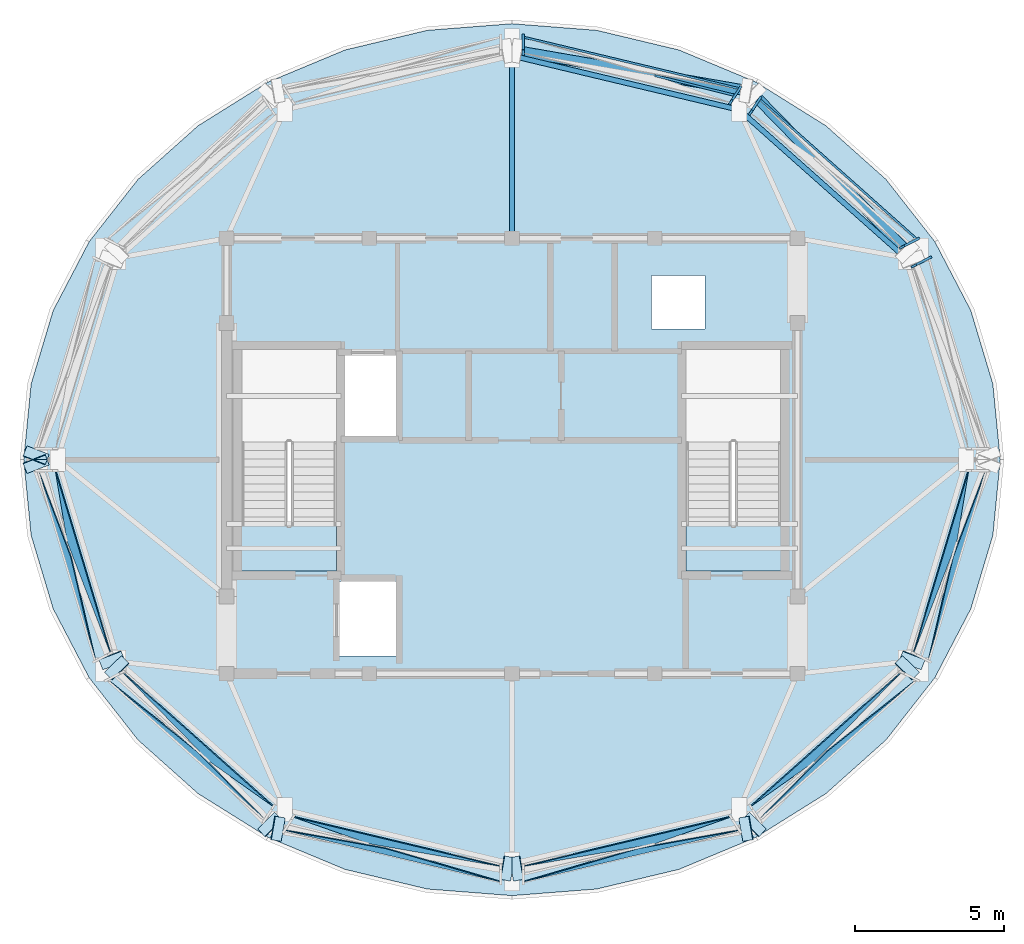
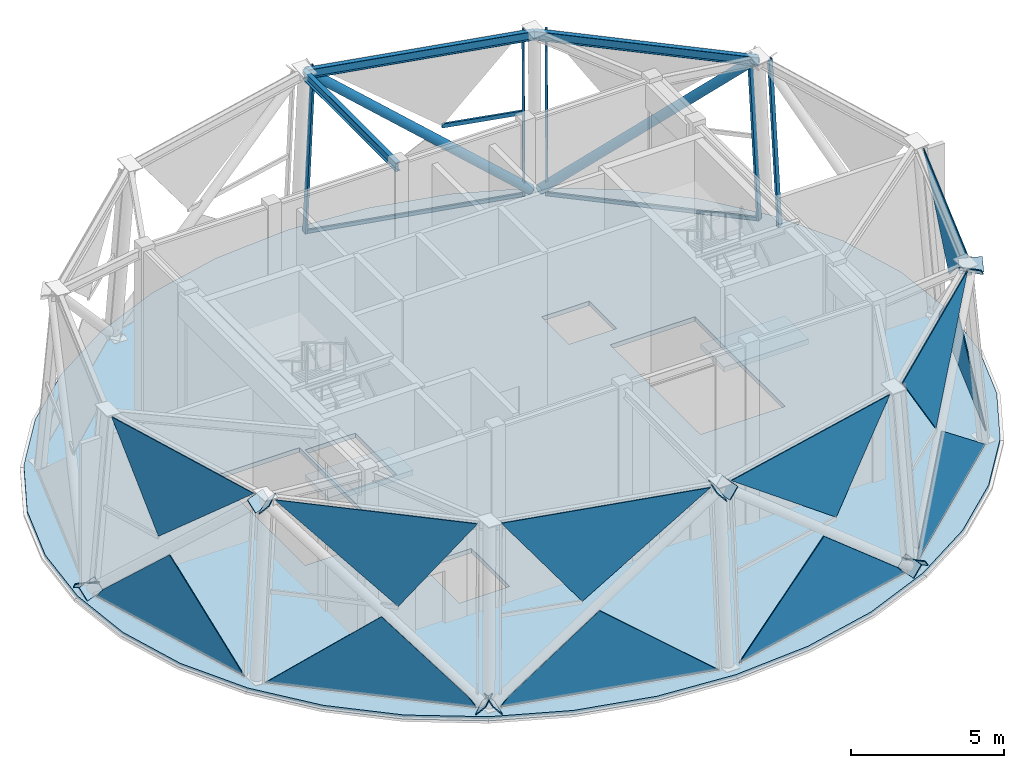
# One storey, part 3 of 9: 24 plates, 10 members, 3 beams, 3 slabs, 11 elements without a shape of their own.
"""IFC4 building model written with IfcOpenShell, lengths in metres."""

from ifc_helpers import new_model, si_unit, direction, frame, origin, origin_2d, place, context, subcontext, project, spatial, polyline, hollow_rectangle, hollow_circle, i_section, outline, extrude, material, layer, layer_set, material_profile, profile_set, type_object, element, aggregate, save


model = new_model("IFC4")

# Units and contexts
model_context = context("Model", 3, precision=1e-05, world=origin(), true_north=direction((0.0, 1.0)))
body_context = subcontext(model_context, "Body", "Model", "MODEL_VIEW")
ifc_project = project(units=[si_unit("LENGTHUNIT", "METRE"), si_unit("AREAUNIT", "SQUARE_METRE"), si_unit("VOLUMEUNIT", "CUBIC_METRE"), si_unit("PLANEANGLEUNIT", "RADIAN"), si_unit("MASSUNIT", "GRAM", prefix="KILO")], contexts=[model_context])

# Site, building, storey
site_placement = place(None, origin())
site = spatial("IfcSite", under=ifc_project, at=site_placement, CompositionType="ELEMENT")
building_placement = place(site_placement, origin())
building = spatial("IfcBuilding", under=site, at=building_placement, Name="Vantalir Tower", CompositionType="ELEMENT")
storey_placement = place(building_placement, frame((0.0, 0.0, 319.0)))
storey = spatial("IfcBuildingStorey", under=building, at=storey_placement, Name="L78", CompositionType="ELEMENT", Elevation=319.0)

# Beams
ifc_material_1 = material(Name="Steel S460", Category="steel")
ifc_material_profile_1 = material_profile(ifc_material_1, i_section(OverallWidth=0.172119140625, OverallDepth=0.35791015625, WebThickness=0.008056640625, FlangeThickness=0.012939453125, at=origin_2d()), Name="Steel S460")
ifc_profile_set_1 = profile_set([ifc_material_profile_1], Name="Steel S460")
beam_type = type_object("IfcBeamType", Name="BM-RB-356x171", PredefinedType="BEAM", material=ifc_profile_set_1)
beam_1_placement = place(storey_placement, frame((44.739990234375, 31.794921875, 6.89111328125), z_axis=(-0.747348152301, 0.664432644631, 0.0), x_axis=(-0.664432644631, -0.747348152301, 0.0)))
element("IfcBeam", 1, at=beam_1_placement, inside=storey, type_object=beam_type, Name="L78 Circumferential Ring Girder 02", PredefinedType="BEAM", context=body_context, shape_type="SweptSolid", body=[
    extrude(i_section(OverallWidth=0.172119140625, OverallDepth=0.35791015625, WebThickness=0.008056640625, FlangeThickness=0.012939453125, at=origin_2d()), origin(), (0.0, 0.0, 1.0), 7.48779296875),
])
beam_2_placement = place(storey_placement, frame((39.14404296875, 36.77001953125, 6.89111328125), z_axis=(-0.972776537622, 0.231745135552, 0.0), x_axis=(-0.231745135552, -0.972776537622, 0.0)))
element("IfcBeam", 2, at=beam_2_placement, inside=storey, type_object=beam_type, Name="L78 Circumferential Ring Girder 03", PredefinedType="BEAM", context=body_context, shape_type="SweptSolid", body=[
    extrude(i_section(OverallWidth=0.172119140625, OverallDepth=0.35791015625, WebThickness=0.008056640625, FlangeThickness=0.012939453125, at=origin_2d()), origin(), (0.0, 0.0, 1.0), 7.85791015625),
])
beam_3_placement = place(storey_placement, frame((31.5, 38.591064453125, 6.89111328125), z_axis=(0.0, -1.0, 0.0), x_axis=(1.0, 0.0, 0.0)))
element("IfcBeam", 3, at=beam_3_placement, inside=storey, type_object=beam_type, Name="L78 Radial Floor Beam 04", PredefinedType="BEAM", context=body_context, shape_type="SweptSolid", body=[
    extrude(i_section(OverallWidth=0.172119140625, OverallDepth=0.35791015625, WebThickness=0.008056640625, FlangeThickness=0.012939453125, at=origin_2d()), origin(), (0.0, 0.0, 1.0), 6.14111328125),
])

# Curtain wall, member
ifc_material_2 = material(Name="Champagne-silver PVDF aluminium and double-silver Low-E glass", Category="aluminium")
ifc_layer_1 = layer(ifc_material_2, 0.25)
ifc_layer_set_1 = layer_set([ifc_layer_1], Name="Champagne-silver PVDF aluminium and double-silver Low-E glass")
curtain_wall_type = type_object("IfcCurtainWallType", Name="CW-CROWN-PT", PredefinedType="USERDEFINED", material=ifc_layer_set_1)
curtain_wall_1_placement = place(storey_placement, origin())
curtain_wall_1 = element("IfcCurtainWall", 4, at=curtain_wall_1_placement, inside=storey, type_object=curtain_wall_type, Name="L78 Quilted Pyramid-Diamond Curtain Wall S01", ObjectType="UNITISED CURTAIN WALL", PredefinedType="USERDEFINED")
ifc_material_3 = material(Name="Champagne-silver PVDF aluminium 6063-T6", Category="aluminium")
ifc_material_profile_2 = material_profile(ifc_material_3, hollow_rectangle(XDim=0.080078125, YDim=0.199951171875, WallThickness=0.0048828125, at=origin_2d()), Name="Champagne-silver PVDF aluminium 6063-T6")
ifc_profile_set_2 = profile_set([ifc_material_profile_2], Name="Champagne-silver PVDF aluminium 6063-T6")
member_type_1 = type_object("IfcMemberType", Name="CWM-200x80", PredefinedType="MULLION", material=ifc_profile_set_2)
member_1_placement = place(storey_placement, frame((45.52587890625, 31.780029296875, 0.044921875), z_axis=(-0.072787183057, -0.037543963674, 0.996640595588), x_axis=(0.458415220074, -0.888738142539, 0.0)))
member_1 = element("IfcMember", 5, at=member_1_placement, type_object=member_type_1, Name="CW-L78-S01 Mullion 2", PredefinedType="MULLION", context=body_context, shape_type="SweptSolid", body=[
    extrude(hollow_rectangle(XDim=0.080078125, YDim=0.199951171875, WallThickness=0.0048828125, at=origin_2d()), origin(), (0.0, 0.0, 1.0), 7.00341796875),
])
aggregate(curtain_wall_1, [member_1])

# Curtain wall, members
curtain_wall_2_placement = place(storey_placement, origin())
curtain_wall_2 = element("IfcCurtainWall", 6, at=curtain_wall_2_placement, inside=storey, type_object=curtain_wall_type, Name="L78 Quilted Pyramid-Diamond Curtain Wall S02", ObjectType="UNITISED CURTAIN WALL", PredefinedType="USERDEFINED")
member_2_placement = place(storey_placement, frame((45.123046875, 32.412109375, 0.044921875), z_axis=(-0.07282176265, -0.037578678859, 0.996636761202), x_axis=(0.458577903069, -0.88865421105, 0.0)))
member_2 = element("IfcMember", 7, at=member_2_placement, type_object=member_type_1, Name="CW-L78-S02 Mullion 1", PredefinedType="MULLION", context=body_context, shape_type="SweptSolid", body=[
    extrude(hollow_rectangle(XDim=0.080078125, YDim=0.199951171875, WallThickness=0.0048828125, at=origin_2d()), origin(), (0.0, 0.0, 1.0), 7.00341796875),
])
member_3_placement = place(storey_placement, frame((39.823974609375, 37.1298828125, 0.044921875), z_axis=(-0.041986824775, -0.0648284944, 0.997012724522), x_axis=(0.839339926536, -0.54360692391, 0.0)))
member_3 = element("IfcMember", 8, at=member_3_placement, type_object=member_type_1, Name="CW-L78-S02 Mullion 2", PredefinedType="MULLION", context=body_context, shape_type="SweptSolid", body=[
    extrude(hollow_rectangle(XDim=0.080078125, YDim=0.199951171875, WallThickness=0.0048828125, at=origin_2d()), origin(), (0.0, 0.0, 1.0), 7.0009765625),
])

curtain_wall_3_placement = place(storey_placement, origin())
curtain_wall_3 = element("IfcCurtainWall", 9, at=curtain_wall_3_placement, inside=storey, type_object=curtain_wall_type, Name="L78 Quilted Pyramid-Diamond Curtain Wall S03", ObjectType="UNITISED CURTAIN WALL", PredefinedType="USERDEFINED")
member_4_placement = place(storey_placement, frame((39.154052734375, 37.47998046875, 0.044921875), z_axis=(-0.041986349537, -0.065002122538, 0.997001439577), x_axis=(0.840005146283, -0.542578431398, 0.0)))
member_4 = element("IfcMember", 10, at=member_4_placement, type_object=member_type_1, Name="CW-L78-S03 Mullion 1", PredefinedType="MULLION", context=body_context, shape_type="SweptSolid", body=[
    extrude(hollow_rectangle(XDim=0.080078125, YDim=0.199951171875, WallThickness=0.0048828125, at=origin_2d()), origin(), (0.0, 0.0, 1.0), 7.0009765625),
])
member_5_placement = place(storey_placement, frame((31.87890625, 39.215087890625, 0.044921875), z_axis=(0.0, -0.07488532878, 0.997192151761), x_axis=(1.0, 0.0, 0.0)))
member_5 = element("IfcMember", 11, at=member_5_placement, type_object=member_type_1, Name="CW-L78-S03 Mullion 2", PredefinedType="MULLION", context=body_context, shape_type="SweptSolid", body=[
    extrude(hollow_rectangle(XDim=0.080078125, YDim=0.199951171875, WallThickness=0.0048828125, at=origin_2d()), origin(), (0.0, 0.0, 1.0), 6.999755859375),
])

# Member
ifc_material_profile_3 = material_profile(ifc_material_3, hollow_rectangle(XDim=0.070068359375, YDim=0.139892578125, WallThickness=0.00390625, at=origin_2d()), Name="Champagne-silver PVDF aluminium 6063-T6")
ifc_profile_set_3 = profile_set([ifc_material_profile_3], Name="Champagne-silver PVDF aluminium 6063-T6")
member_type_2 = type_object("IfcMemberType", Name="CWT-140x70", PredefinedType="USERDEFINED", material=ifc_profile_set_3)
member_6_placement = place(storey_placement, frame((45.123046875, 32.412109375, 0.054931640625), z_axis=(-0.746885093717, 0.664953123749, 0.0), x_axis=(-0.664953123749, -0.746885093717, 0.0)))
member_6 = element("IfcMember", 12, at=member_6_placement, type_object=member_type_2, Name="CW-L78-S02 Sill Transom", ObjectType="TRANSOM", PredefinedType="USERDEFINED", context=body_context, shape_type="SweptSolid", body=[
    extrude(hollow_rectangle(XDim=0.070068359375, YDim=0.139892578125, WallThickness=0.00390625, at=origin_2d()), origin(), (0.0, 0.0, 1.0), 7.094970703125),
])

aggregate(curtain_wall_2, [member_2, member_3, member_6])

member_7_placement = place(storey_placement, frame((39.154052734375, 37.47998046875, 0.054931640625), z_axis=(-0.972717882854, 0.231991207539, 0.0), x_axis=(-0.231991207539, -0.972717882854, 0.0)))
member_7 = element("IfcMember", 13, at=member_7_placement, type_object=member_type_2, Name="CW-L78-S03 Sill Transom", ObjectType="TRANSOM", PredefinedType="USERDEFINED", context=body_context, shape_type="SweptSolid", body=[
    extrude(hollow_rectangle(XDim=0.070068359375, YDim=0.139892578125, WallThickness=0.00390625, at=origin_2d()), origin(), (0.0, 0.0, 1.0), 7.479248046875),
])

ifc_material_profile_4 = material_profile(ifc_material_3, hollow_rectangle(XDim=0.074951171875, YDim=0.159912109375, WallThickness=0.00390625, at=origin_2d()), Name="Champagne-silver PVDF aluminium 6063-T6")
ifc_profile_set_4 = profile_set([ifc_material_profile_4], Name="Champagne-silver PVDF aluminium 6063-T6")
member_type_3 = type_object("IfcMemberType", Name="CWT-160x75", PredefinedType="USERDEFINED", material=ifc_profile_set_4)
member_8_placement = place(storey_placement, frame((39.007080078125, 37.2529296875, 3.534912109375), z_axis=(-0.970738444916, 0.240139275343, 0.0), x_axis=(-0.240139275343, -0.970738444916, 0.0)))
member_8 = element("IfcMember", 14, at=member_8_placement, type_object=member_type_3, Name="CW-L78-S03 Pyramid Fold Ridge Transom", ObjectType="TRANSOM", PredefinedType="USERDEFINED", context=body_context, shape_type="SweptSolid", body=[
    extrude(hollow_rectangle(XDim=0.074951171875, YDim=0.159912109375, WallThickness=0.00390625, at=origin_2d()), origin(), (0.0, 0.0, 1.0), 2.781494140625),
])

aggregate(curtain_wall_3, [member_4, member_5, member_7, member_8])

# Members
ifc_material_profile_5 = material_profile(ifc_material_1, hollow_circle(Radius=0.177490234375, WallThickness=0.02001953125, at=origin_2d()), Name="Steel S460")
ifc_profile_set_5 = profile_set([ifc_material_profile_5], Name="Steel S460")
member_type_4 = type_object("IfcMemberType", Name="MEM-DB-355x20", PredefinedType="BRACE", material=ifc_profile_set_5)
member_9_placement = place(storey_placement, frame((39.367919921875, 37.41796875, 0.221923828125), z_axis=(-0.751661730699, 0.130172726587, 0.646575365952), x_axis=(-0.170639977932, -0.985333445049, 0.0)))
element("IfcMember", 15, at=member_9_placement, inside=storey, type_object=member_type_4, Name="L78 CROWN FRAME Diagrid Brace R07L", PredefinedType="BRACE", context=body_context, shape_type="SweptSolid", body=[
    extrude(hollow_circle(Radius=0.177490234375, WallThickness=0.02001953125, at=origin_2d()), origin(), (0.0, 0.0, 1.0), 10.247802734375),
])
member_10_placement = place(storey_placement, frame((39.64697265625, 37.27197265625, 0.22705078125), z_axis=(0.519683977372, -0.531993970001, 0.668514008488), x_axis=(0.715334532748, 0.698782159373, 0.0)))
element("IfcMember", 16, at=member_10_placement, inside=storey, type_object=member_type_4, Name="L78 CROWN FRAME Diagrid Brace R07R", PredefinedType="BRACE", context=body_context, shape_type="SweptSolid", body=[
    extrude(hollow_circle(Radius=0.177490234375, WallThickness=0.02001953125, at=origin_2d()), origin(), (0.0, 0.0, 1.0), 9.896484375),
])

# Curtain wall, plates
curtain_wall_4_placement = place(storey_placement, origin())
curtain_wall_4 = element("IfcCurtainWall", 17, at=curtain_wall_4_placement, inside=storey, type_object=curtain_wall_type, Name="L78 Quilted Pyramid-Diamond Curtain Wall S07", ObjectType="UNITISED CURTAIN WALL", PredefinedType="USERDEFINED")
ifc_material_4 = material(Name="Faceted crown Low-E glass IGU", Category="glass")
ifc_layer_2 = layer(ifc_material_4, 0.033935546875)
ifc_layer_set_2 = layer_set([ifc_layer_2], Name="Faceted crown Low-E glass IGU")
plate_type_1 = type_object("IfcPlateType", Name="CWP-IGU-CRN-34", PredefinedType="CURTAIN_PANEL", material=ifc_layer_set_2)
plate_1_placement = place(storey_placement, frame((15.55078125, 24.61328125, 0.05029296875), z_axis=(-0.955002316468, -0.287309346659, 0.073647232553), x_axis=(0.288083998675, -0.957605136707, -0.000108899046)))
plate_1 = element("IfcPlate", 18, at=plate_1_placement, type_object=plate_type_1, Name="CW-L78-S07 Pyramid Diamond Facet 1L", PredefinedType="CURTAIN_PANEL", context=body_context, shape_type="SweptSolid", body=[
    extrude(outline(polyline([(0.0, 0.0), (6.6615950335227705, 1.0516761073109393e-17), (3.0845067335968377, 3.0356793541009677), (0.31515326118738946, 0.4282061117901563), (0.0, 0.0)])), origin(), (0.0, 0.0, -1.0), 0.033935546875),
])
plate_2_placement = place(storey_placement, frame((17.97900390625, 18.495849609375, 7.020263671875), z_axis=(-0.953924632096, -0.287088281334, 0.087224509174), x_axis=(-0.288196263951, 0.9575713552, -0.000114651743)))
plate_2 = element("IfcPlate", 19, at=plate_2_placement, type_object=plate_type_1, Name="CW-L78-S07 Pyramid Diamond Facet 2U", PredefinedType="CURTAIN_PANEL", context=body_context, shape_type="SweptSolid", body=[
    extrude(outline(polyline([(0.0, 0.0), (6.3882315054448755, -2.6020852139652106e-18), (3.9965300092163356, 3.483521757025343), (0.0, 0.0)])), origin(), (0.0, 0.0, -1.0), 0.033935546875),
])
aggregate(curtain_wall_4, [plate_1, plate_2])

curtain_wall_5_placement = place(storey_placement, origin())
curtain_wall_5 = element("IfcCurtainWall", 20, at=curtain_wall_5_placement, inside=storey, type_object=curtain_wall_type, Name="L78 Quilted Pyramid-Diamond Curtain Wall S08", ObjectType="UNITISED CURTAIN WALL", PredefinedType="USERDEFINED")
plate_3_placement = place(storey_placement, frame((17.88818359375, 17.578369140625, 0.04931640625), z_axis=(-0.663349322667, -0.745063703622, 0.069625811752), x_axis=(0.746880971866, -0.664957745611, 0.000102061337)))
plate_3 = element("IfcPlate", 21, at=plate_3_placement, type_object=plate_type_1, Name="CW-L78-S08 Pyramid Diamond Facet 1L", PredefinedType="CURTAIN_PANEL", context=body_context, shape_type="SweptSolid", body=[
    extrude(outline(polyline([(0.0, 0.0), (7.065660236169466, 4.119968255444917e-18), (6.757968360388056, 0.4006732623213826), (3.838522541659166, 3.0399333200871856), (0.0, 0.0)])), origin(), (0.0, 0.0, -1.0), 0.033935546875),
])
plate_4_placement = place(storey_placement, frame((23.458984375, 13.333251953125, 7.019775390625), z_axis=(-0.662686945153, -0.744266347281, 0.083148163107), x_axis=(-0.746846550287, 0.664996404985, 0.000108076776)))
plate_4 = element("IfcPlate", 22, at=plate_4_placement, type_object=plate_type_1, Name="CW-L78-S08 Pyramid Diamond Facet 2U", PredefinedType="CURTAIN_PANEL", context=body_context, shape_type="SweptSolid", body=[
    extrude(outline(polyline([(0.0, 0.0), (6.776866405727528, 9.128982292327947e-17), (2.590030666043243, 3.4825541889697544), (0.0, 0.0)])), origin(), (0.0, 0.0, -1.0), 0.033935546875),
])
aggregate(curtain_wall_5, [plate_3, plate_4])

curtain_wall_6_placement = place(storey_placement, origin())
curtain_wall_6 = element("IfcCurtainWall", 23, at=curtain_wall_6_placement, inside=storey, type_object=curtain_wall_type, Name="L78 Quilted Pyramid-Diamond Curtain Wall S09", ObjectType="UNITISED CURTAIN WALL", PredefinedType="USERDEFINED")
plate_5_placement = place(storey_placement, frame((23.8603515625, 12.517578125, 0.0498046875), z_axis=(-0.231630877501, -0.970557917712, 0.066064097325), x_axis=(0.972681336544, -0.232144368418, -9.8742098e-05)))
plate_5 = element("IfcPlate", 24, at=plate_5_placement, type_object=plate_type_1, Name="CW-L78-S09 Pyramid Diamond Facet 1L", PredefinedType="CURTAIN_PANEL", context=body_context, shape_type="SweptSolid", body=[
    extrude(outline(polyline([(0.0, 0.0), (7.4498695683774, -1.7672495411513722e-17), (3.440650678363946, 3.038961145310199), (0.29772186006821383, 0.3621454803820775), (0.0, 0.0)])), origin(), (0.0, 0.0, -1.0), 0.033935546875),
])
plate_6_placement = place(storey_placement, frame((31.106689453125, 11.3125, 7.020751953125), z_axis=(-0.231295612374, -0.969615401188, 0.079676304357), x_axis=(-0.972709739424, 0.232025326916, -0.000102469598)))
plate_6 = element("IfcPlate", 25, at=plate_6_placement, type_object=plate_type_1, Name="CW-L78-S09 Pyramid Diamond Facet 2U", PredefinedType="CURTAIN_PANEL", context=body_context, shape_type="SweptSolid", body=[
    extrude(outline(polyline([(0.0, 0.0), (7.147699295032746, 1.3010426069826053e-18), (4.467316172605861, 3.481803045041743), (0.0, 0.0)])), origin(), (0.0, 0.0, -1.0), 0.033935546875),
])
aggregate(curtain_wall_6, [plate_5, plate_6])

curtain_wall_7_placement = place(storey_placement, origin())
curtain_wall_7 = element("IfcCurtainWall", 26, at=curtain_wall_7_placement, inside=storey, type_object=curtain_wall_type, Name="L78 Quilted Pyramid-Diamond Curtain Wall S10", ObjectType="UNITISED CURTAIN WALL", PredefinedType="USERDEFINED")
plate_7_placement = place(storey_placement, frame((31.893310546875, 10.7880859375, 0.049072265625), z_axis=(0.231630877501, -0.970557917712, 0.066064097325), x_axis=(0.972681336544, 0.232144368418, 9.8742098e-05)))
plate_7 = element("IfcPlate", 27, at=plate_7_placement, type_object=plate_type_1, Name="CW-L78-S10 Pyramid Diamond Facet 1L", PredefinedType="CURTAIN_PANEL", context=body_context, shape_type="SweptSolid", body=[
    extrude(outline(polyline([(0.0, 0.0), (7.4498695683774, 1.7672495411513722e-17), (7.152147708309187, 0.3621454803820775), (4.009218890013455, 3.0389611453101995), (0.0, 0.0)])), origin(), (0.0, 0.0, -1.0), 0.033935546875),
])
plate_8_placement = place(storey_placement, frame((38.845947265625, 12.970947265625, 7.02001953125), z_axis=(0.231295612374, -0.969615401188, 0.079676304357), x_axis=(-0.972709739424, -0.232025326916, 0.000102469598)))
plate_8 = element("IfcPlate", 28, at=plate_8_placement, type_object=plate_type_1, Name="CW-L78-S10 Pyramid Diamond Facet 2U", PredefinedType="CURTAIN_PANEL", context=body_context, shape_type="SweptSolid", body=[
    extrude(outline(polyline([(0.0, 0.0), (7.147699295032746, -1.3010426069826053e-18), (2.680383122426885, 3.481803045041743), (0.0, 0.0)])), origin(), (0.0, 0.0, -1.0), 0.033935546875),
])
aggregate(curtain_wall_7, [plate_7, plate_8])

curtain_wall_8_placement = place(storey_placement, origin())
curtain_wall_8 = element("IfcCurtainWall", 29, at=curtain_wall_8_placement, inside=storey, type_object=curtain_wall_type, Name="L78 Quilted Pyramid-Diamond Curtain Wall S11", ObjectType="UNITISED CURTAIN WALL", PredefinedType="USERDEFINED")
plate_9_placement = place(storey_placement, frame((39.834716796875, 12.8798828125, 0.050048828125), z_axis=(0.663349322667, -0.745063703622, 0.069625811752), x_axis=(0.746880971866, 0.664957745611, -0.000102061337)))
plate_9 = element("IfcPlate", 30, at=plate_9_placement, type_object=plate_type_1, Name="CW-L78-S11 Pyramid Diamond Facet 1L", PredefinedType="CURTAIN_PANEL", context=body_context, shape_type="SweptSolid", body=[
    extrude(outline(polyline([(0.0, 0.0), (7.065660236169466, -4.119968255444917e-18), (3.2271376945102994, 3.039933320087185), (0.30769187578140883, 0.4006732623213826), (0.0, 0.0)])), origin(), (0.0, 0.0, -1.0), 0.033935546875),
])
plate_10_placement = place(storey_placement, frame((44.602294921875, 17.83984375, 7.0205078125), z_axis=(0.662686945153, -0.744266347281, 0.083148163107), x_axis=(-0.746846550287, -0.664996404985, -0.000108076776)))
plate_10 = element("IfcPlate", 31, at=plate_10_placement, type_object=plate_type_1, Name="CW-L78-S11 Pyramid Diamond Facet 2U", PredefinedType="CURTAIN_PANEL", context=body_context, shape_type="SweptSolid", body=[
    extrude(outline(polyline([(0.0, 0.0), (6.776866405727528, -9.128982292327947e-17), (4.186835739684285, 3.482554188969754), (0.0, 0.0)])), origin(), (0.0, 0.0, -1.0), 0.033935546875),
])
aggregate(curtain_wall_8, [plate_9, plate_10])

curtain_wall_9_placement = place(storey_placement, origin())
curtain_wall_9 = element("IfcCurtainWall", 32, at=curtain_wall_9_placement, inside=storey, type_object=curtain_wall_type, Name="L78 Quilted Pyramid-Diamond Curtain Wall S12", ObjectType="UNITISED CURTAIN WALL", PredefinedType="USERDEFINED")
plate_11_placement = place(storey_placement, frame((45.530029296875, 18.234130859375, 0.049560546875), z_axis=(0.955002316468, -0.287309346659, 0.073647232553), x_axis=(0.288083998675, 0.957605136707, 0.000108899046)))
plate_11 = element("IfcPlate", 33, at=plate_11_placement, type_object=plate_type_1, Name="CW-L78-S12 Pyramid Diamond Facet 1L", PredefinedType="CURTAIN_PANEL", context=body_context, shape_type="SweptSolid", body=[
    extrude(outline(polyline([(0.0, 0.0), (6.6615950335227705, -1.0516761073109393e-17), (6.346441772335382, 0.4282061117901562), (3.5770882999259332, 3.0356793541009677), (0.0, 0.0)])), origin(), (0.0, 0.0, -1.0), 0.033935546875),
])
plate_12_placement = place(storey_placement, frame((46.862060546875, 24.613037109375, 7.01953125), z_axis=(0.953924632096, -0.287088281334, 0.087224509174), x_axis=(-0.288196263951, -0.9575713552, 0.000114651743)))
plate_12 = element("IfcPlate", 34, at=plate_12_placement, type_object=plate_type_1, Name="CW-L78-S12 Pyramid Diamond Facet 2U", PredefinedType="CURTAIN_PANEL", context=body_context, shape_type="SweptSolid", body=[
    extrude(outline(polyline([(0.0, 0.0), (6.3882315054448755, 2.6020852139652106e-18), (2.3917014962285403, 3.483521757025343), (0.0, 0.0)])), origin(), (0.0, 0.0, -1.0), 0.033935546875),
])
aggregate(curtain_wall_9, [plate_11, plate_12])

# Plates
ifc_layer_3 = layer(ifc_material_1, 0.031982421875)
ifc_layer_set_3 = layer_set([ifc_layer_3], Name="Steel S460")
plate_type_2 = type_object("IfcPlateType", Name="PLT-KN-Z3", PredefinedType="USERDEFINED", material=ifc_layer_set_3)
plate_13_placement = place(storey_placement, frame((44.5185546875, 18.220947265625, 6.666259765625), z_axis=(-0.263054958667, -0.681090623605, 0.683313728209), x_axis=(0.932808059802, -0.360373575438, -9.8457864e-05)))
element("IfcPlate", 35, at=plate_13_placement, inside=storey, type_object=plate_type_2, Name="Node Cap Plate MEM-DG-L78-R01R End", ObjectType="FLANGE_PLATE", PredefinedType="USERDEFINED", context=body_context, shape_type="SweptSolid", body=[
    extrude(outline(polyline([(0.0, 0.0), (0.7998688045283263, 0.0), (0.7999136809868265, 0.5200718952508785), (-9.487805428423979e-05, 0.5198561506406918), (0.0, 0.0)])), origin(), (0.0, 0.0, -1.0), 0.031982421875),
])
plate_14_placement = place(storey_placement, frame((15.184814453125, 24.534912109375, 0.0458984375), z_axis=(0.263169041116, -0.681208940466, 0.683151839072), x_axis=(0.932809790912, 0.360369107971, 0.0)))
element("IfcPlate", 36, at=plate_14_placement, inside=storey, type_object=plate_type_2, Name="Node Cap Plate MEM-DG-L78-R19L Start", ObjectType="FLANGE_PLATE", PredefinedType="USERDEFINED", context=body_context, shape_type="SweptSolid", body=[
    extrude(outline(polyline([(0.0, 0.0), (0.800096544758283, 0.0), (0.8001523428731845, 0.5198561690799006), (5.579811490157736e-05, 0.5198561690799006), (0.0, 0.0)])), origin(), (0.0, 0.0, -1.0), 0.031982421875),
])
plate_15_placement = place(storey_placement, frame((17.7353515625, 17.9326171875, 6.666259765625), z_axis=(0.263054958667, -0.681090623605, 0.683313728209), x_axis=(0.932808059802, 0.360373575438, 9.8457864e-05)))
element("IfcPlate", 37, at=plate_15_placement, inside=storey, type_object=plate_type_2, Name="Node Cap Plate MEM-DG-L78-R19L End", ObjectType="FLANGE_PLATE", PredefinedType="USERDEFINED", context=body_context, shape_type="SweptSolid", body=[
    extrude(outline(polyline([(0.0, 0.0), (0.7998688045283263, 0.0), (0.7999636825826105, 0.5198561506406917), (-4.4876458500164304e-05, 0.5200718952508785), (0.0, 0.0)])), origin(), (0.0, 0.0, -1.0), 0.031982421875),
])
plate_16_placement = place(storey_placement, frame((15.93115234375, 25.1767578125, 0.0458984375), z_axis=(0.263169041116, 0.681208940466, 0.683151839072), x_axis=(-0.932809790912, 0.360369107971, 0.0)))
element("IfcPlate", 38, at=plate_16_placement, inside=storey, type_object=plate_type_2, Name="Node Cap Plate MEM-DG-L78-R19R Start", ObjectType="FLANGE_PLATE", PredefinedType="USERDEFINED", context=body_context, shape_type="SweptSolid", body=[
    extrude(outline(polyline([(0.0, 0.0), (0.800096544758283, 0.0), (0.8000407466433814, 0.5198561690799006), (-5.579811490157736e-05, 0.5198561690799006), (0.0, 0.0)])), origin(), (0.0, 0.0, -1.0), 0.031982421875),
])
plate_17_placement = place(storey_placement, frame((23.73583984375, 12.158447265625, 0.029052734375), z_axis=(0.751696220959, -0.130132606849, 0.646543344278), x_axis=(0.170581317303, 0.985343602094, 0.0)))
element("IfcPlate", 39, at=plate_17_placement, inside=storey, type_object=plate_type_2, Name="Node Cap Plate MEM-DG-L78-R25L Start", ObjectType="FLANGE_PLATE", PredefinedType="USERDEFINED", context=body_context, shape_type="SweptSolid", body=[
    extrude(outline(polyline([(0.0, 0.0), (0.8000560174641694, 1.3877787807814457e-17), (0.8000747916126735, 0.5200423971007233), (1.8774148504006882e-05, 0.5200423971007233), (0.0, 0.0)])), origin(), (0.0, 0.0, -1.0), 0.031982421875),
])
plate_18_placement = place(storey_placement, frame((31.449951171875, 10.82177734375, 6.6650390625), z_axis=(0.751456813779, -0.130364255178, 0.646774936123), x_axis=(0.170928958858, 0.985283355702, 0.0)))
element("IfcPlate", 40, at=plate_18_placement, inside=storey, type_object=plate_type_2, Name="Node Cap Plate MEM-DG-L78-R25L End", ObjectType="FLANGE_PLATE", PredefinedType="USERDEFINED", context=body_context, shape_type="SweptSolid", body=[
    extrude(outline(polyline([(0.0, 0.0), (0.7998571506755543, -1.3877787807814457e-17), (0.7997572950651723, 0.5198561624841211), (-9.985561038188678e-05, 0.5198561624841211), (0.0, 0.0)])), origin(), (0.0, 0.0, -1.0), 0.031982421875),
])
for number, where, z_axis, x_axis, name in (
    (41, (23.51318359375, 13.13623046875, 0.0390625), (-0.519654397058, 0.531908256203, 0.668605200848), (-0.715298131827, -0.698819420598, 0.0), "Node Cap Plate MEM-DG-L78-R25R Start"),
    (42, (18.362548828125, 18.40869140625, 6.66552734375), (-0.519654397058, 0.531908256203, 0.668605200848), (-0.715298131827, -0.698819420598, 0.0), "Node Cap Plate MEM-DG-L78-R25R End"),
):
    element("IfcPlate", number, at=place(storey_placement, frame(where, z_axis=z_axis, x_axis=x_axis)), inside=storey, type_object=plate_type_2, Name=name, ObjectType="FLANGE_PLATE", PredefinedType="USERDEFINED", context=body_context, shape_type="SweptSolid", body=[
        extrude(outline(polyline([(0.0, 0.0), (0.8000379136161402, 0.0), (0.8001295514145821, 0.520050584271811), (9.163779844179043e-05, 0.520050584271811), (0.0, 0.0)])), origin(), (0.0, 0.0, -1.0), 0.031982421875),
    ])
for number, where, z_axis, x_axis, name in (
    (43, (40.05908203125, 12.5771484375, 0.0390625), (0.519654397058, 0.531908256203, 0.668605200848), (-0.715298131827, 0.698819420598, 0.0), "Node Cap Plate MEM-DG-L78-R31L Start"),
    (44, (45.209716796875, 17.849609375, 6.66552734375), (0.519654397058, 0.531908256203, 0.668605200848), (-0.715298131827, 0.698819420598, 0.0), "Node Cap Plate MEM-DG-L78-R31L End"),
):
    element("IfcPlate", number, at=place(storey_placement, frame(where, z_axis=z_axis, x_axis=x_axis)), inside=storey, type_object=plate_type_2, Name=name, ObjectType="FLANGE_PLATE", PredefinedType="USERDEFINED", context=body_context, shape_type="SweptSolid", body=[
        extrude(outline(polyline([(0.0, 0.0), (0.8000379136161402, 0.0), (0.7999462758176985, 0.520050584271811), (-9.163779844179043e-05, 0.520050584271811), (0.0, 0.0)])), origin(), (0.0, 0.0, -1.0), 0.031982421875),
    ])
plate_19_placement = place(storey_placement, frame((39.127685546875, 12.94677734375, 0.029052734375), z_axis=(-0.751696220959, -0.130132606849, 0.646543344278), x_axis=(0.170581317303, -0.985343602094, 0.0)))
element("IfcPlate", 45, at=plate_19_placement, inside=storey, type_object=plate_type_2, Name="Node Cap Plate MEM-DG-L78-R31R Start", ObjectType="FLANGE_PLATE", PredefinedType="USERDEFINED", context=body_context, shape_type="SweptSolid", body=[
    extrude(outline(polyline([(0.0, 0.0), (0.8000560174641694, -1.3877787807814457e-17), (0.8000372433156655, 0.5200423971007233), (-1.8774148504006882e-05, 0.5200423971007233), (0.0, 0.0)])), origin(), (0.0, 0.0, -1.0), 0.031982421875),
])
plate_20_placement = place(storey_placement, frame((31.413330078125, 11.60986328125, 6.6650390625), z_axis=(-0.751456813779, -0.130364255178, 0.646774936123), x_axis=(0.170928958858, -0.985283355702, 0.0)))
element("IfcPlate", 46, at=plate_20_placement, inside=storey, type_object=plate_type_2, Name="Node Cap Plate MEM-DG-L78-R31R End", ObjectType="FLANGE_PLATE", PredefinedType="USERDEFINED", context=body_context, shape_type="SweptSolid", body=[
    extrude(outline(polyline([(0.0, 0.0), (0.7998571506755543, 1.3877787807814457e-17), (0.7999570062859362, 0.519856162484121), (9.985561038188678e-05, 0.5198561624841211), (0.0, 0.0)])), origin(), (0.0, 0.0, -1.0), 0.031982421875),
])

# Stair, slab
ifc_material_5 = material(Name="Concrete C40/50", Category="concrete")
stair_type = type_object("IfcStairType", Name="STR-CORE-1450", PredefinedType="HALF_TURN_STAIR", material=ifc_material_5)
stair_1_placement = place(storey_placement, origin())
stair_1 = element("IfcStair", 47, at=stair_1_placement, inside=storey, type_object=stair_type, Name="L78 Core Exit Stair 1", PredefinedType="HALF_TURN_STAIR")
ifc_layer_4 = layer(ifc_material_5, 0.199951171875)
ifc_layer_set_4 = layer_set([ifc_layer_4], Name="Concrete C40/50")
slab_type_1 = type_object("IfcSlabType", Name="SL-LAND-200", PredefinedType="LANDING", material=ifc_layer_set_4)
slab_1_placement = place(storey_placement, frame((0.0, 0.0, 3.425048828125)))
slab_1 = element("IfcSlab", 48, at=slab_1_placement, type_object=slab_type_1, Name="ST1 landing 2", PredefinedType="LANDING", context=body_context, shape_type="SweptSolid", body=[
    extrude(outline(polyline([(25.60009765625, 21.25), (25.60009765625, 22.7900390625), (22.39990234375, 22.7900390625), (22.39990234375, 21.25), (25.60009765625, 21.25)])), origin(), (0.0, 0.0, 1.0), 0.199951171875),
])
aggregate(stair_1, [slab_1])

stair_2_placement = place(storey_placement, origin())
stair_2 = element("IfcStair", 49, at=stair_2_placement, inside=storey, type_object=stair_type, Name="L78 Core Exit Stair 2", PredefinedType="HALF_TURN_STAIR")
slab_2_placement = place(storey_placement, frame((0.0, 0.0, 3.425048828125)))
slab_2 = element("IfcSlab", 50, at=slab_2_placement, type_object=slab_type_1, Name="ST2 landing 2", PredefinedType="LANDING", context=body_context, shape_type="SweptSolid", body=[
    extrude(outline(polyline([(40.550048828125, 21.25), (40.550048828125, 22.7900390625), (37.35009765625, 22.7900390625), (37.35009765625, 21.25), (40.550048828125, 21.25)])), origin(), (0.0, 0.0, 1.0), 0.199951171875),
])
aggregate(stair_2, [slab_2])

# Slab
ifc_layer_5 = layer(ifc_material_5, 0.179931640625)
ifc_layer_set_5 = layer_set([ifc_layer_5], Name="Concrete C40/50")
slab_type_2 = type_object("IfcSlabType", Name="SL-TWR-180", PredefinedType="FLOOR", material=ifc_layer_set_5)
slab_3_placement = place(storey_placement, frame((0.0, 0.0, -0.179931640625)))
element("IfcSlab", 51, at=slab_3_placement, inside=storey, type_object=slab_type_2, Name="L78 Primary Structural Slab", PredefinedType="FLOOR", context=body_context, shape_type="SweptSolid", body=[
    extrude(outline(polyline([(44.0830078125, 15.572998046875), (45.72509765625, 17.6669921875), (46.93505859375, 19.98388671875), (47.676025390625, 22.452880859375), (47.926025390625, 25.0), (47.676025390625, 27.547119140625), (46.93505859375, 30.01611328125), (45.72509765625, 32.3330078125), (44.0830078125, 34.427001953125), (42.05810546875, 36.235107421875), (39.712890625, 37.700927734375), (37.117919921875, 38.781982421875), (34.35205078125, 39.443115234375), (31.5, 39.666015625), (28.64794921875, 39.443115234375), (25.882080078125, 38.781982421875), (23.287109375, 37.700927734375), (20.94189453125, 36.235107421875), (18.9169921875, 34.427001953125), (17.27490234375, 32.3330078125), (16.06494140625, 30.01611328125), (15.323974609375, 27.547119140625), (15.073974609375, 25.0), (15.323974609375, 22.452880859375), (16.06494140625, 19.98388671875), (17.27490234375, 17.6669921875), (18.9169921875, 15.572998046875), (20.94189453125, 13.764892578125), (23.287109375, 12.299072265625), (25.882080078125, 11.218017578125), (28.64794921875, 10.556884765625), (31.5, 10.333984375), (34.35205078125, 10.556884765625), (37.117919921875, 11.218017578125), (39.712890625, 12.299072265625), (42.05810546875, 13.764892578125), (44.0830078125, 15.572998046875)]), holes=[polyline([(25.60009765625, 22.7900390625), (22.39990234375, 22.7900390625), (22.39990234375, 28.699951171875), (25.60009765625, 28.699951171875), (25.60009765625, 22.7900390625)]), polyline([(37.35009765625, 22.7900390625), (37.35009765625, 28.699951171875), (40.550048828125, 28.699951171875), (40.550048828125, 22.7900390625), (37.35009765625, 22.7900390625)]), polyline([(25.699951171875, 20.89990234375), (27.60009765625, 20.89990234375), (27.60009765625, 18.39990234375), (25.699951171875, 18.39990234375), (25.699951171875, 20.89990234375)]), polyline([(27.60009765625, 28.5), (27.60009765625, 25.800048828125), (25.699951171875, 25.800048828125), (25.699951171875, 28.5), (27.60009765625, 28.5)]), polyline([(38.0, 29.39990234375), (36.199951171875, 29.39990234375), (36.199951171875, 31.199951171875), (38.0, 31.199951171875), (38.0, 29.39990234375)])]), origin(), (0.0, 0.0, 1.0), 0.179931640625),
])

save(model, "model.ifc")
